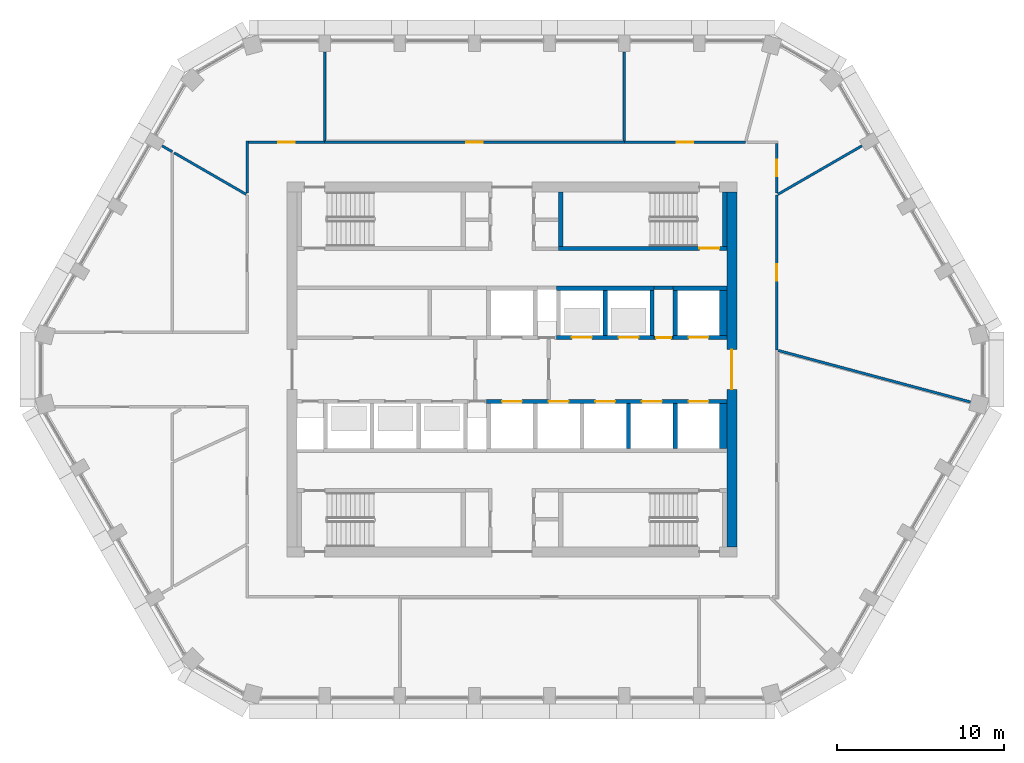
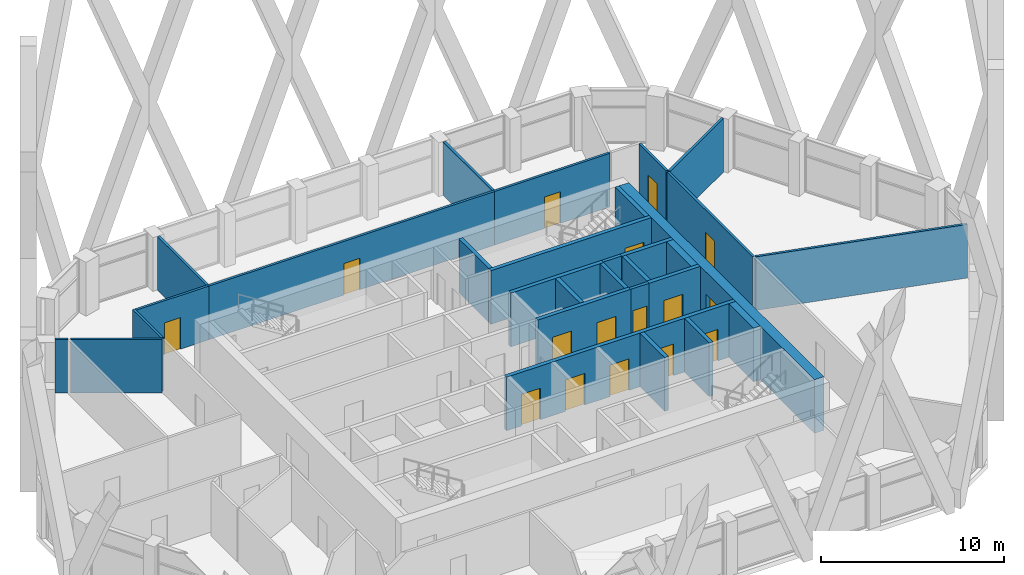
# One storey, part 11 of 20: 30 walls, 16 doors, 16 openings.
"""IFC4 building model written with IfcOpenShell, lengths in metres."""

from ifc_helpers import new_model, si_unit, direction, frame, frame_2d, origin, place, context, subcontext, project, spatial, polyline, rectangle, outline, extrude, material, layer, layer_set, type_object, element, fill, save


model = new_model("IFC4")

# Units and contexts
model_context = context("Model", 3, precision=1e-05, world=origin(), true_north=direction((0.0, 1.0)))
body_context = subcontext(model_context, "Body", "Model", "MODEL_VIEW")
ifc_project = project(units=[si_unit("LENGTHUNIT", "METRE"), si_unit("AREAUNIT", "SQUARE_METRE"), si_unit("VOLUMEUNIT", "CUBIC_METRE"), si_unit("PLANEANGLEUNIT", "RADIAN"), si_unit("MASSUNIT", "GRAM", prefix="KILO")], contexts=[model_context])

# Site, building, storey
site_placement = place(None, origin())
site = spatial("IfcSite", under=ifc_project, at=site_placement, CompositionType="ELEMENT")
building_placement = place(site_placement, origin())
building = spatial("IfcBuilding", under=site, at=building_placement, Name="Dhurran Vertical Campus", CompositionType="ELEMENT")
storey_placement = place(building_placement, frame((0.0, 0.0, 235.199951171875)))
storey = spatial("IfcBuildingStorey", under=building, at=storey_placement, Name="L58", CompositionType="ELEMENT", Elevation=235.199951171875)

# Wall, opening, door
ifc_material_1 = material(Name="Concrete C50/60", Category="concrete")
ifc_layer_1 = layer(ifc_material_1, 0.60009765625)
ifc_layer_set_1 = layer_set([ifc_layer_1], Name="Concrete C50/60")
wall_type_1 = type_object("IfcWallType", Name="co-CORE-WALL-C2-600", PredefinedType="SHEAR", material=ifc_layer_set_1)
wall_1_placement = place(storey_placement, frame((13.199951171875, -10.64990234375, 0.0), z_axis=(0.0, 0.0, 1.0), x_axis=(0.0, 1.0, 0.0)))
wall_1 = element("IfcWall", 1, at=wall_1_placement, inside=storey, type_object=wall_type_1, Name="Core wall E L58", PredefinedType="SHEAR", context=body_context, shape_type="SweptSolid", body=[
    extrude(rectangle(XDim=21.2998046875, YDim=0.60009765625, at=frame_2d((10.64990234375, 0.0))), origin(), (0.0, 0.0, 1.0), 3.574951171875),
])
opening_1_placement = place(wall_1_placement, frame((9.449951171875, 0.0, 0.0)))
opening_1 = element("IfcOpeningElement", 2, at=opening_1_placement, cuts=wall_1, Name="Opening CL2", PredefinedType="OPENING", context=body_context, shape_type="SweptSolid", body=[
    extrude(rectangle(XDim=2.39990234375, YDim=2.10009765625, at=frame_2d((1.199951171875, 1.050048828125))), frame((0.0, 0.31005859375, 0.0), z_axis=(0.0, -1.0, 0.0), x_axis=(1.0, 0.0, 0.0)), (0.0, 0.0, 1.0), 0.6201171875),
])
ifc_material_2 = material(Name="Fire-rated glazed door set")
door_type_1 = type_object("IfcDoorType", Name="co-D-LOBBY 2400x2100", OperationType="DOUBLE_DOOR_DOUBLE_SWING", PredefinedType="DOOR", material=ifc_material_2)
door_1_placement = place(opening_1_placement, origin())
door_1 = element("IfcDoor", 3, at=door_1_placement, inside=storey, type_object=door_type_1, Name="Lift lobby door E L58", OperationType="DOUBLE_DOOR_DOUBLE_SWING", OverallHeight=2.10009765625, OverallWidth=2.39990234375, PredefinedType="DOOR", context=body_context, shape_type="SweptSolid", body=[
    extrude(rectangle(XDim=2.39990234375, YDim=2.10009765625, at=frame_2d((1.199951171875, 1.050048828125))), frame((0.0, 0.02490234375, 0.0), z_axis=(0.0, -1.0, 0.0), x_axis=(1.0, 0.0, 0.0)), (0.0, 0.0, 1.0), 0.050048828125),
])
fill(opening_1, door_1)

ifc_material_3 = material(Name="Fire-rated masonry blockwork", Category="masonry")
ifc_layer_2 = layer(ifc_material_3, 0.199951171875)
ifc_layer_set_2 = layer_set([ifc_layer_2], Name="Fire-rated masonry blockwork")
wall_type_2 = type_object("IfcWallType", Name="co-FIRE-PARTITION-200", PredefinedType="PARTITIONING", material=ifc_layer_set_2)
wall_2_placement = place(storey_placement, frame((8.52490234375, 1.89990234375, 0.0), z_axis=(0.0, 0.0, 1.0), x_axis=(1.0, 0.0, 0.0)))
wall_2 = element("IfcWall", 4, at=wall_2_placement, inside=storey, type_object=wall_type_2, Name="Core partition fr-N2-f L58", PredefinedType="PARTITIONING", context=body_context, shape_type="SweptSolid", body=[
    extrude(rectangle(XDim=1.150146484375, YDim=0.199951171875, at=frame_2d((0.5751953125, 0.0))), origin(), (0.0, 0.0, 1.0), 3.574951171875),
])
opening_2_placement = place(wall_2_placement, frame((0.125, 0.0, 0.0)))
opening_2 = element("IfcOpeningElement", 5, at=opening_2_placement, cuts=wall_2, Name="Opening T17-C11", PredefinedType="OPENING", context=body_context, shape_type="SweptSolid", body=[
    extrude(rectangle(XDim=0.89990234375, YDim=2.10009765625, at=frame_2d((0.449951171875, 1.050048828125))), frame((0.0, 0.10986328125, 0.0), z_axis=(0.0, -1.0, 0.0), x_axis=(1.0, 0.0, 0.0)), (0.0, 0.0, 1.0), 0.219970703125),
])
ifc_material_4 = material(Name="Fire-rated timber door set", Category="wood")
door_type_2 = type_object("IfcDoorType", Name="co-D-ROOM 900x2100", OperationType="SINGLE_SWING_LEFT", PredefinedType="DOOR", material=ifc_material_4)
door_2_placement = place(opening_2_placement, origin())
door_2 = element("IfcDoor", 6, at=door_2_placement, inside=storey, type_object=door_type_2, Name="Water riser door L58", OperationType="SINGLE_SWING_LEFT", OverallHeight=2.10009765625, OverallWidth=0.89990234375, PredefinedType="DOOR", context=body_context, shape_type="SweptSolid", body=[
    extrude(rectangle(XDim=0.89990234375, YDim=2.10009765625, at=frame_2d((0.449951171875, 1.050048828125))), frame((0.0, 0.02490234375, 0.0), z_axis=(0.0, -1.0, 0.0), x_axis=(1.0, 0.0, 0.0)), (0.0, 0.0, 1.0), 0.050048828125),
])
fill(opening_2, door_2)

# Wall
wall_3_placement = place(storey_placement, frame((8.52490234375, 4.89990234375, 0.0), z_axis=(0.0, 0.0, 1.0), x_axis=(1.0, 0.0, 0.0)))
element("IfcWall", 7, at=wall_3_placement, inside=storey, type_object=wall_type_2, Name="Core partition fr-N2-b L58", PredefinedType="PARTITIONING", context=body_context, shape_type="SweptSolid", body=[
    extrude(rectangle(XDim=1.150146484375, YDim=0.199951171875, at=frame_2d((0.5751953125, 0.0))), origin(), (0.0, 0.0, 1.0), 3.574951171875),
])

# Wall, openings, doors
ifc_material_5 = material(Name="Concrete C50/60", Category="concrete")
ifc_layer_3 = layer(ifc_material_5, 0.25)
ifc_layer_set_3 = layer_set([ifc_layer_3], Name="Concrete C50/60")
wall_type_3 = type_object("IfcWallType", Name="co-SHAFT-FRONT-250", PredefinedType="SHEAR", material=ifc_layer_set_3)
wall_4_placement = place(storey_placement, frame((2.675048828125, 1.925048828125, 0.0), z_axis=(0.0, 0.0, 1.0), x_axis=(1.0, 0.0, 0.0)))
wall_4 = element("IfcWall", 8, at=wall_4_placement, inside=storey, type_object=wall_type_3, Name="Lift landing wall N L58", PredefinedType="SHEAR", context=body_context, shape_type="SweptSolid", body=[
    extrude(rectangle(XDim=5.849853515625, YDim=0.25, at=frame_2d((2.9248046875, 0.0))), origin(), (0.0, 0.0, 1.0), 3.574951171875),
])
opening_3_placement = place(wall_4_placement, frame((0.925048828125, 0.0, 0.0)))
opening_3 = element("IfcOpeningElement", 9, at=opening_3_placement, cuts=wall_4, Name="Opening LD", PredefinedType="OPENING", context=body_context, shape_type="SweptSolid", body=[
    extrude(rectangle(XDim=1.199951171875, YDim=2.10009765625, at=frame_2d((0.60009765625, 1.050048828125))), frame((0.0, 0.135009765625, 0.0), z_axis=(0.0, -1.0, 0.0), x_axis=(1.0, 0.0, 0.0)), (0.0, 0.0, 1.0), 0.27001953125),
])
opening_4_placement = place(wall_4_placement, frame((3.72509765625, 0.0, 0.0)))
opening_4 = element("IfcOpeningElement", 10, at=opening_4_placement, cuts=wall_4, Name="Opening LD", PredefinedType="OPENING", context=body_context, shape_type="SweptSolid", body=[
    extrude(rectangle(XDim=1.199951171875, YDim=2.10009765625, at=frame_2d((0.60009765625, 1.050048828125))), frame((0.0, 0.135009765625, 0.0), z_axis=(0.0, -1.0, 0.0), x_axis=(1.0, 0.0, 0.0)), (0.0, 0.0, 1.0), 0.27001953125),
])
ifc_material_6 = material(Name="Stainless steel landing door", Category="steel")
door_type_3 = type_object("IfcDoorType", Name="co-D-LANDING 1200x2100", OperationType="DOUBLE_DOOR_SLIDING", PredefinedType="DOOR", material=ifc_material_6)
door_3_placement = place(opening_3_placement, origin())
door_3 = element("IfcDoor", 11, at=door_3_placement, inside=storey, type_object=door_type_3, Name="Landing door HR1 L58", OperationType="DOUBLE_DOOR_SLIDING", OverallHeight=2.10009765625, OverallWidth=1.199951171875, PredefinedType="DOOR", context=body_context, shape_type="SweptSolid", body=[
    extrude(rectangle(XDim=1.199951171875, YDim=2.10009765625, at=frame_2d((0.60009765625, 1.050048828125))), frame((0.0, 0.02490234375, 0.0), z_axis=(0.0, -1.0, 0.0), x_axis=(1.0, 0.0, 0.0)), (0.0, 0.0, 1.0), 0.050048828125),
])
fill(opening_3, door_3)
door_4_placement = place(opening_4_placement, origin())
door_4 = element("IfcDoor", 12, at=door_4_placement, inside=storey, type_object=door_type_3, Name="Landing door HR2 L58", OperationType="DOUBLE_DOOR_SLIDING", OverallHeight=2.10009765625, OverallWidth=1.199951171875, PredefinedType="DOOR", context=body_context, shape_type="SweptSolid", body=[
    extrude(rectangle(XDim=1.199951171875, YDim=2.10009765625, at=frame_2d((0.60009765625, 1.050048828125))), frame((0.0, 0.02490234375, 0.0), z_axis=(0.0, -1.0, 0.0), x_axis=(1.0, 0.0, 0.0)), (0.0, 0.0, 1.0), 0.050048828125),
])
fill(opening_4, door_4)

# Wall, opening, door
wall_5_placement = place(storey_placement, frame((9.675048828125, 1.925048828125, 0.0), z_axis=(0.0, 0.0, 1.0), x_axis=(1.0, 0.0, 0.0)))
wall_5 = element("IfcWall", 13, at=wall_5_placement, inside=storey, type_object=wall_type_3, Name="Lift landing wall N L58", PredefinedType="SHEAR", context=body_context, shape_type="SweptSolid", body=[
    extrude(rectangle(XDim=3.224853515625, YDim=0.25, at=frame_2d((1.6123046875, 0.0))), origin(), (0.0, 0.0, 1.0), 3.574951171875),
])
opening_5_placement = place(wall_5_placement, frame((0.925048828125, 0.0, 0.0)))
opening_5 = element("IfcOpeningElement", 14, at=opening_5_placement, cuts=wall_5, Name="Opening LD", PredefinedType="OPENING", context=body_context, shape_type="SweptSolid", body=[
    extrude(rectangle(XDim=1.199951171875, YDim=2.10009765625, at=frame_2d((0.60009765625, 1.050048828125))), frame((0.0, 0.135009765625, 0.0), z_axis=(0.0, -1.0, 0.0), x_axis=(1.0, 0.0, 0.0)), (0.0, 0.0, 1.0), 0.27001953125),
])
door_5_placement = place(opening_5_placement, origin())
door_5 = element("IfcDoor", 15, at=door_5_placement, inside=storey, type_object=door_type_3, Name="Landing door SV2 L58", OperationType="DOUBLE_DOOR_SLIDING", OverallHeight=2.10009765625, OverallWidth=1.199951171875, PredefinedType="DOOR", context=body_context, shape_type="SweptSolid", body=[
    extrude(rectangle(XDim=1.199951171875, YDim=2.10009765625, at=frame_2d((0.60009765625, 1.050048828125))), frame((0.0, 0.02490234375, 0.0), z_axis=(0.0, -1.0, 0.0), x_axis=(1.0, 0.0, 0.0)), (0.0, 0.0, 1.0), 0.050048828125),
])
fill(opening_5, door_5)

# Wall, openings, doors
wall_6_placement = place(storey_placement, frame((-1.52490234375, -1.925048828125, 0.0), z_axis=(0.0, 0.0, 1.0), x_axis=(1.0, 0.0, 0.0)))
wall_6 = element("IfcWall", 16, at=wall_6_placement, inside=storey, type_object=wall_type_3, Name="Lift landing wall S L58", PredefinedType="SHEAR", context=body_context, shape_type="SweptSolid", body=[
    extrude(rectangle(XDim=14.4248046875, YDim=0.25, at=frame_2d((7.21240234375, 0.0))), origin(), (0.0, 0.0, 1.0), 3.574951171875),
])
opening_6_placement = place(wall_6_placement, frame((0.925048828125, 0.0, 0.0)))
opening_6 = element("IfcOpeningElement", 17, at=opening_6_placement, cuts=wall_6, Name="Opening LD", PredefinedType="OPENING", context=body_context, shape_type="SweptSolid", body=[
    extrude(rectangle(XDim=1.199951171875, YDim=2.10009765625, at=frame_2d((0.60009765625, 1.050048828125))), frame((0.0, 0.135009765625, 0.0), z_axis=(0.0, -1.0, 0.0), x_axis=(1.0, 0.0, 0.0)), (0.0, 0.0, 1.0), 0.27001953125),
])
opening_7_placement = place(wall_6_placement, frame((3.72509765625, 0.0, 0.0)))
opening_7 = element("IfcOpeningElement", 18, at=opening_7_placement, cuts=wall_6, Name="Opening LD", PredefinedType="OPENING", context=body_context, shape_type="SweptSolid", body=[
    extrude(rectangle(XDim=1.199951171875, YDim=2.10009765625, at=frame_2d((0.60009765625, 1.050048828125))), frame((0.0, 0.135009765625, 0.0), z_axis=(0.0, -1.0, 0.0), x_axis=(1.0, 0.0, 0.0)), (0.0, 0.0, 1.0), 0.27001953125),
])
opening_8_placement = place(wall_6_placement, frame((6.52490234375, 0.0, 0.0)))
opening_8 = element("IfcOpeningElement", 19, at=opening_8_placement, cuts=wall_6, Name="Opening LD", PredefinedType="OPENING", context=body_context, shape_type="SweptSolid", body=[
    extrude(rectangle(XDim=1.199951171875, YDim=2.10009765625, at=frame_2d((0.60009765625, 1.050048828125))), frame((0.0, 0.135009765625, 0.0), z_axis=(0.0, -1.0, 0.0), x_axis=(1.0, 0.0, 0.0)), (0.0, 0.0, 1.0), 0.27001953125),
])
opening_9_placement = place(wall_6_placement, frame((9.324951171875, 0.0, 0.0)))
opening_9 = element("IfcOpeningElement", 20, at=opening_9_placement, cuts=wall_6, Name="Opening LD", PredefinedType="OPENING", context=body_context, shape_type="SweptSolid", body=[
    extrude(rectangle(XDim=1.199951171875, YDim=2.10009765625, at=frame_2d((0.60009765625, 1.050048828125))), frame((0.0, 0.135009765625, 0.0), z_axis=(0.0, -1.0, 0.0), x_axis=(1.0, 0.0, 0.0)), (0.0, 0.0, 1.0), 0.27001953125),
])
opening_10_placement = place(wall_6_placement, frame((12.125, 0.0, 0.0)))
opening_10 = element("IfcOpeningElement", 21, at=opening_10_placement, cuts=wall_6, Name="Opening LD", PredefinedType="OPENING", context=body_context, shape_type="SweptSolid", body=[
    extrude(rectangle(XDim=1.199951171875, YDim=2.10009765625, at=frame_2d((0.60009765625, 1.050048828125))), frame((0.0, 0.135009765625, 0.0), z_axis=(0.0, -1.0, 0.0), x_axis=(1.0, 0.0, 0.0)), (0.0, 0.0, 1.0), 0.27001953125),
])
door_6_placement = place(opening_6_placement, origin())
door_6 = element("IfcDoor", 22, at=door_6_placement, inside=storey, type_object=door_type_3, Name="Landing door FF2 L58", OperationType="DOUBLE_DOOR_SLIDING", OverallHeight=2.10009765625, OverallWidth=1.199951171875, PredefinedType="DOOR", context=body_context, shape_type="SweptSolid", body=[
    extrude(rectangle(XDim=1.199951171875, YDim=2.10009765625, at=frame_2d((0.60009765625, 1.050048828125))), frame((0.0, 0.02490234375, 0.0), z_axis=(0.0, -1.0, 0.0), x_axis=(1.0, 0.0, 0.0)), (0.0, 0.0, 1.0), 0.050048828125),
])
fill(opening_6, door_6)
door_7_placement = place(opening_7_placement, origin())
door_7 = element("IfcDoor", 23, at=door_7_placement, inside=storey, type_object=door_type_3, Name="Landing door SV1 L58", OperationType="DOUBLE_DOOR_SLIDING", OverallHeight=2.10009765625, OverallWidth=1.199951171875, PredefinedType="DOOR", context=body_context, shape_type="SweptSolid", body=[
    extrude(rectangle(XDim=1.199951171875, YDim=2.10009765625, at=frame_2d((0.60009765625, 1.050048828125))), frame((0.0, 0.02490234375, 0.0), z_axis=(0.0, -1.0, 0.0), x_axis=(1.0, 0.0, 0.0)), (0.0, 0.0, 1.0), 0.050048828125),
])
fill(opening_7, door_7)
door_8_placement = place(opening_8_placement, origin())
door_8 = element("IfcDoor", 24, at=door_8_placement, inside=storey, type_object=door_type_3, Name="Landing door SB1 L58", OperationType="DOUBLE_DOOR_SLIDING", OverallHeight=2.10009765625, OverallWidth=1.199951171875, PredefinedType="DOOR", context=body_context, shape_type="SweptSolid", body=[
    extrude(rectangle(XDim=1.199951171875, YDim=2.10009765625, at=frame_2d((0.60009765625, 1.050048828125))), frame((0.0, 0.02490234375, 0.0), z_axis=(0.0, -1.0, 0.0), x_axis=(1.0, 0.0, 0.0)), (0.0, 0.0, 1.0), 0.050048828125),
])
fill(opening_8, door_8)
door_9_placement = place(opening_9_placement, origin())
door_9 = element("IfcDoor", 25, at=door_9_placement, inside=storey, type_object=door_type_3, Name="Landing door SB2 L58", OperationType="DOUBLE_DOOR_SLIDING", OverallHeight=2.10009765625, OverallWidth=1.199951171875, PredefinedType="DOOR", context=body_context, shape_type="SweptSolid", body=[
    extrude(rectangle(XDim=1.199951171875, YDim=2.10009765625, at=frame_2d((0.60009765625, 1.050048828125))), frame((0.0, 0.02490234375, 0.0), z_axis=(0.0, -1.0, 0.0), x_axis=(1.0, 0.0, 0.0)), (0.0, 0.0, 1.0), 0.050048828125),
])
fill(opening_9, door_9)
door_10_placement = place(opening_10_placement, origin())
door_10 = element("IfcDoor", 26, at=door_10_placement, inside=storey, type_object=door_type_3, Name="Landing door SB3 L58", OperationType="DOUBLE_DOOR_SLIDING", OverallHeight=2.10009765625, OverallWidth=1.199951171875, PredefinedType="DOOR", context=body_context, shape_type="SweptSolid", body=[
    extrude(rectangle(XDim=1.199951171875, YDim=2.10009765625, at=frame_2d((0.60009765625, 1.050048828125))), frame((0.0, 0.02490234375, 0.0), z_axis=(0.0, -1.0, 0.0), x_axis=(1.0, 0.0, 0.0)), (0.0, 0.0, 1.0), 0.050048828125),
])
fill(opening_10, door_10)

# Walls
ifc_material_7 = material(Name="Concrete C50/60", Category="concrete")
ifc_layer_4 = layer(ifc_material_7, 0.25)
ifc_layer_set_4 = layer_set([ifc_layer_4], Name="Concrete C50/60")
wall_type_4 = type_object("IfcWallType", Name="co-SHAFT-MASS-250", PredefinedType="SHEAR", material=ifc_layer_set_4)
wall_7_placement = place(storey_placement, origin())
element("IfcWall", 27, at=wall_7_placement, inside=storey, type_object=wall_type_4, Name="Lift shaft wall N L58 2", PredefinedType="SHEAR", context=body_context, shape_type="SweptSolid", body=[
    extrude(outline(polyline([(2.675048828125, 4.75), (8.52490234375, 4.75), (8.52490234375, 5.0), (2.675048828125, 5.0), (2.675048828125, 4.75)])), origin(), (0.0, 0.0, 1.0), 3.574951171875),
])
wall_8_placement = place(storey_placement, origin())
element("IfcWall", 28, at=wall_8_placement, inside=storey, type_object=wall_type_4, Name="Lift shaft wall N L58 3", PredefinedType="SHEAR", context=body_context, shape_type="SweptSolid", body=[
    extrude(outline(polyline([(9.675048828125, 4.75), (12.89990234375, 4.75), (12.89990234375, 5.0), (9.675048828125, 5.0), (9.675048828125, 4.75)])), origin(), (0.0, 0.0, 1.0), 3.574951171875),
])
wall_9_placement = place(storey_placement, origin())
element("IfcWall", 29, at=wall_9_placement, inside=storey, type_object=wall_type_4, Name="Lift shaft wall N L58 7", PredefinedType="SHEAR", context=body_context, shape_type="SweptSolid", body=[
    extrude(outline(polyline([(5.47509765625, 2.050048828125), (5.72509765625, 2.050048828125), (5.72509765625, 4.75), (5.47509765625, 4.75), (5.47509765625, 2.050048828125)])), origin(), (0.0, 0.0, 1.0), 3.574951171875),
])
wall_10_placement = place(storey_placement, origin())
element("IfcWall", 30, at=wall_10_placement, inside=storey, type_object=wall_type_4, Name="Lift shaft wall N L58 8", PredefinedType="SHEAR", context=body_context, shape_type="SweptSolid", body=[
    extrude(outline(polyline([(8.27490234375, 2.050048828125), (8.52490234375, 2.050048828125), (8.52490234375, 4.75), (8.27490234375, 4.75), (8.27490234375, 2.050048828125)])), origin(), (0.0, 0.0, 1.0), 3.574951171875),
])
wall_11_placement = place(storey_placement, origin())
element("IfcWall", 31, at=wall_11_placement, inside=storey, type_object=wall_type_4, Name="Lift shaft wall N L58 9", PredefinedType="SHEAR", context=body_context, shape_type="SweptSolid", body=[
    extrude(outline(polyline([(9.675048828125, 2.050048828125), (9.925048828125, 2.050048828125), (9.925048828125, 4.75), (9.675048828125, 4.75), (9.675048828125, 2.050048828125)])), origin(), (0.0, 0.0, 1.0), 3.574951171875),
])
wall_12_placement = place(storey_placement, origin())
element("IfcWall", 32, at=wall_12_placement, inside=storey, type_object=wall_type_4, Name="Lift shaft wall N L58 10", PredefinedType="SHEAR", context=body_context, shape_type="SweptSolid", body=[
    extrude(outline(polyline([(12.47509765625, 2.050048828125), (12.89990234375, 2.050048828125), (12.89990234375, 4.75), (12.47509765625, 4.75), (12.47509765625, 2.050048828125)])), origin(), (0.0, 0.0, 1.0), 3.574951171875),
])
wall_13_placement = place(storey_placement, origin())
element("IfcWall", 33, at=wall_13_placement, inside=storey, type_object=wall_type_4, Name="Lift shaft wall S L58 10", PredefinedType="SHEAR", context=body_context, shape_type="SweptSolid", body=[
    extrude(outline(polyline([(6.875, -4.75), (7.125, -4.75), (7.125, -2.050048828125), (6.875, -2.050048828125), (6.875, -4.75)])), origin(), (0.0, 0.0, 1.0), 3.574951171875),
])
wall_14_placement = place(storey_placement, origin())
element("IfcWall", 34, at=wall_14_placement, inside=storey, type_object=wall_type_4, Name="Lift shaft wall S L58 11", PredefinedType="SHEAR", context=body_context, shape_type="SweptSolid", body=[
    extrude(outline(polyline([(9.675048828125, -4.75), (9.925048828125, -4.75), (9.925048828125, -2.050048828125), (9.675048828125, -2.050048828125), (9.675048828125, -4.75)])), origin(), (0.0, 0.0, 1.0), 3.574951171875),
])
wall_15_placement = place(storey_placement, origin())
element("IfcWall", 35, at=wall_15_placement, inside=storey, type_object=wall_type_4, Name="Lift shaft wall S L58 12", PredefinedType="SHEAR", context=body_context, shape_type="SweptSolid", body=[
    extrude(outline(polyline([(12.47509765625, -4.75), (12.89990234375, -4.75), (12.89990234375, -2.050048828125), (12.47509765625, -2.050048828125), (12.47509765625, -4.75)])), origin(), (0.0, 0.0, 1.0), 3.574951171875),
])

# Wall, opening, door
ifc_material_8 = material(Name="Concrete C40/50", Category="concrete")
ifc_layer_5 = layer(ifc_material_8, 0.25)
ifc_layer_set_5 = layer_set([ifc_layer_5], Name="Concrete C40/50")
wall_type_5 = type_object("IfcWallType", Name="co-STAIR-WALL-250", PredefinedType="SHEAR", material=ifc_layer_set_5)
wall_16_placement = place(storey_placement, frame((2.800048828125, 7.27490234375, 0.0), z_axis=(0.0, 0.0, 1.0), x_axis=(1.0, 0.0, 0.0)))
wall_16 = element("IfcWall", 36, at=wall_16_placement, inside=storey, type_object=wall_type_5, Name="Stair ST2 enclosure wall L58", PredefinedType="SHEAR", context=body_context, shape_type="SweptSolid", body=[
    extrude(rectangle(XDim=10.099853515625, YDim=0.25, at=frame_2d((5.0498046875, 0.0))), origin(), (0.0, 0.0, 1.0), 3.574951171875),
])
opening_11_placement = place(wall_16_placement, frame((8.449951171875, 0.0, 0.0)))
opening_11 = element("IfcOpeningElement", 37, at=opening_11_placement, cuts=wall_16, Name="Opening SD2", PredefinedType="OPENING", context=body_context, shape_type="SweptSolid", body=[
    extrude(rectangle(XDim=1.199951171875, YDim=2.10009765625, at=frame_2d((0.60009765625, 1.050048828125))), frame((0.0, 0.135009765625, 0.0), z_axis=(0.0, -1.0, 0.0), x_axis=(1.0, 0.0, 0.0)), (0.0, 0.0, 1.0), 0.27001953125),
])
ifc_material_9 = material(Name="Fire-rated steel door set", Category="steel")
door_type_4 = type_object("IfcDoorType", Name="co-D-STAIR 1200x2100", OperationType="SINGLE_SWING_LEFT", PredefinedType="DOOR", material=ifc_material_9)
door_11_placement = place(opening_11_placement, origin())
door_11 = element("IfcDoor", 38, at=door_11_placement, inside=storey, type_object=door_type_4, Name="Stair ST2 door L58", OperationType="SINGLE_SWING_LEFT", OverallHeight=2.10009765625, OverallWidth=1.199951171875, PredefinedType="DOOR", context=body_context, shape_type="SweptSolid", body=[
    extrude(rectangle(XDim=1.199951171875, YDim=2.10009765625, at=frame_2d((0.60009765625, 1.050048828125))), frame((0.0, 0.02490234375, 0.0), z_axis=(0.0, -1.0, 0.0), x_axis=(1.0, 0.0, 0.0)), (0.0, 0.0, 1.0), 0.050048828125),
])
fill(opening_11, door_11)

# Walls
for number, where, z_axis, x_axis, name in (
    (39, (2.925048828125, 7.39990234375, 0.0), (0.0, 0.0, 1.0), (0.0, 1.0, 0.0), "Stair ST2 enclosure wall L58"),
    (40, (12.77490234375, 7.39990234375, 0.0), (0.0, 0.0, 1.0), (0.0, 1.0, 0.0), "Stair ST2 enclosure wall L58"),
):
    element("IfcWall", number, at=place(storey_placement, frame(where, z_axis=z_axis, x_axis=x_axis)), inside=storey, type_object=wall_type_5, Name=name, PredefinedType="SHEAR", context=body_context, shape_type="SweptSolid", body=[
        extrude(rectangle(XDim=3.25, YDim=0.25, at=frame_2d((1.625, 0.0))), origin(), (0.0, 0.0, 1.0), 3.574951171875),
    ])
ifc_material_10 = material(Name="Gypsum board corridor wall on steel studs", Category="steel")
ifc_layer_6 = layer(ifc_material_10, 0.14990234375)
ifc_layer_set_6 = layer_set([ifc_layer_6], Name="Gypsum board corridor wall on steel studs")
wall_type_6 = type_object("IfcWallType", Name="fl-CW-150 corridor wall", PredefinedType="PARTITIONING", material=ifc_layer_set_6)
wall_17_placement = place(storey_placement, frame((-15.89990234375, 13.72509765625, 0.0), z_axis=(0.0, 0.0, 1.0), x_axis=(0.0, -1.0, 0.0)))
element("IfcWall", 41, at=wall_17_placement, inside=storey, type_object=wall_type_6, Name="Partition 58-19", PredefinedType="PARTITIONING", context=body_context, shape_type="SweptSolid", body=[
    extrude(rectangle(XDim=3.1162109375, YDim=0.14990234375, at=frame_2d((1.55810546875, 0.0))), origin(), (0.0, 0.0, 1.0), 3.574951171875),
])

# Wall, opening, door
wall_18_placement = place(storey_placement, frame((-11.25, 13.64990234375, 0.0), z_axis=(0.0, 0.0, 1.0), x_axis=(-1.0, 0.0, 0.0)))
wall_18 = element("IfcWall", 42, at=wall_18_placement, inside=storey, type_object=wall_type_6, Name="Partition 58-20", PredefinedType="PARTITIONING", context=body_context, shape_type="SweptSolid", body=[
    extrude(rectangle(XDim=4.574951171875, YDim=0.14990234375, at=frame_2d((2.28759765625, 0.0))), origin(), (0.0, 0.0, 1.0), 3.574951171875),
])
opening_12_placement = place(wall_18_placement, frame((1.78759765625, 0.0, 0.0)))
opening_12 = element("IfcOpeningElement", 43, at=opening_12_placement, cuts=wall_18, Name="Opening T17.06", PredefinedType="OPENING", context=body_context, shape_type="SweptSolid", body=[
    extrude(rectangle(XDim=1.0, YDim=2.10009765625, at=frame_2d((0.5, 1.050048828125))), frame((0.0, 0.0849609375, 0.0), z_axis=(0.0, -1.0, 0.0), x_axis=(1.0, 0.0, 0.0)), (0.0, 0.0, 1.0), 0.169921875),
])
ifc_material_11 = material(Name="Solid-core timber door set, fire-rated", Category="wood")
door_type_5 = type_object("IfcDoorType", Name="fl-D-1000x2100", OperationType="SINGLE_SWING_LEFT", PredefinedType="DOOR", material=ifc_material_11)
door_12_placement = place(opening_12_placement, origin())
door_12 = element("IfcDoor", 44, at=door_12_placement, inside=storey, type_object=door_type_5, Name="Door 58.06", OperationType="SINGLE_SWING_LEFT", OverallHeight=2.10009765625, OverallWidth=1.0, PredefinedType="DOOR", context=body_context, shape_type="SweptSolid", body=[
    extrude(rectangle(XDim=1.0, YDim=2.10009765625, at=frame_2d((0.5, 1.050048828125))), frame((0.0, 0.02490234375, 0.0), z_axis=(0.0, -1.0, 0.0), x_axis=(1.0, 0.0, 0.0)), (0.0, 0.0, 1.0), 0.050048828125),
])
fill(opening_12, door_12)

wall_19_placement = place(storey_placement, frame((6.75, 13.64990234375, 0.0), z_axis=(0.0, 0.0, 1.0), x_axis=(-1.0, 0.0, 0.0)))
wall_19 = element("IfcWall", 45, at=wall_19_placement, inside=storey, type_object=wall_type_6, Name="Partition 58-22", PredefinedType="PARTITIONING", context=body_context, shape_type="SweptSolid", body=[
    extrude(rectangle(XDim=18.0, YDim=0.14990234375, at=frame_2d((9.0, 0.0))), origin(), (0.0, 0.0, 1.0), 3.574951171875),
])
opening_13_placement = place(wall_19_placement, frame((8.5, 0.0, 0.0)))
opening_13 = element("IfcOpeningElement", 46, at=opening_13_placement, cuts=wall_19, Name="Opening T17.08", PredefinedType="OPENING", context=body_context, shape_type="SweptSolid", body=[
    extrude(rectangle(XDim=1.0, YDim=2.10009765625, at=frame_2d((0.5, 1.050048828125))), frame((0.0, 0.0849609375, 0.0), z_axis=(0.0, -1.0, 0.0), x_axis=(1.0, 0.0, 0.0)), (0.0, 0.0, 1.0), 0.169921875),
])
door_13_placement = place(opening_13_placement, origin())
door_13 = element("IfcDoor", 47, at=door_13_placement, inside=storey, type_object=door_type_5, Name="Door 58.08", OperationType="SINGLE_SWING_RIGHT", OverallHeight=2.10009765625, OverallWidth=1.0, PredefinedType="DOOR", context=body_context, shape_type="SweptSolid", body=[
    extrude(rectangle(XDim=1.0, YDim=2.10009765625, at=frame_2d((0.5, 1.050048828125))), frame((0.0, 0.02490234375, 0.0), z_axis=(0.0, -1.0, 0.0), x_axis=(1.0, 0.0, 0.0)), (0.0, 0.0, 1.0), 0.050048828125),
])
fill(opening_13, door_13)

wall_20_placement = place(storey_placement, frame((14.02490234375, 13.64990234375, 0.0), z_axis=(0.0, 0.0, 1.0), x_axis=(-1.0, 0.0, 0.0)))
wall_20 = element("IfcWall", 48, at=wall_20_placement, inside=storey, type_object=wall_type_6, Name="Partition 58-26", PredefinedType="PARTITIONING", context=body_context, shape_type="SweptSolid", body=[
    extrude(rectangle(XDim=7.27490234375, YDim=0.14990234375, at=frame_2d((3.637451171875, 0.0))), origin(), (0.0, 0.0, 1.0), 3.574951171875),
])
opening_14_placement = place(wall_20_placement, frame((3.137451171875, 0.0, 0.0)))
opening_14 = element("IfcOpeningElement", 49, at=opening_14_placement, cuts=wall_20, Name="Opening T17.10", PredefinedType="OPENING", context=body_context, shape_type="SweptSolid", body=[
    extrude(rectangle(XDim=1.0, YDim=2.10009765625, at=frame_2d((0.5, 1.050048828125))), frame((0.0, 0.0849609375, 0.0), z_axis=(0.0, -1.0, 0.0), x_axis=(1.0, 0.0, 0.0)), (0.0, 0.0, 1.0), 0.169921875),
])
door_14_placement = place(opening_14_placement, origin())
door_14 = element("IfcDoor", 50, at=door_14_placement, inside=storey, type_object=door_type_5, Name="Door 58.10", OperationType="SINGLE_SWING_RIGHT", OverallHeight=2.10009765625, OverallWidth=1.0, PredefinedType="DOOR", context=body_context, shape_type="SweptSolid", body=[
    extrude(rectangle(XDim=1.0, YDim=2.10009765625, at=frame_2d((0.5, 1.050048828125))), frame((0.0, 0.02490234375, 0.0), z_axis=(0.0, -1.0, 0.0), x_axis=(1.0, 0.0, 0.0)), (0.0, 0.0, 1.0), 0.050048828125),
])
fill(opening_14, door_14)

wall_21_placement = place(storey_placement, frame((15.89990234375, 1.166015625, 0.0), z_axis=(0.0, 0.0, 1.0), x_axis=(0.0, 1.0, 0.0)))
wall_21 = element("IfcWall", 51, at=wall_21_placement, inside=storey, type_object=wall_type_6, Name="Partition 58-34", PredefinedType="PARTITIONING", context=body_context, shape_type="SweptSolid", body=[
    extrude(rectangle(XDim=9.31298828125, YDim=0.14990234375, at=frame_2d((4.656494140625, 0.0))), origin(), (0.0, 0.0, 1.0), 3.574951171875),
])
opening_15_placement = place(wall_21_placement, frame((4.156494140625, 0.0, 0.0)))
opening_15 = element("IfcOpeningElement", 52, at=opening_15_placement, cuts=wall_21, Name="Opening T17.14", PredefinedType="OPENING", context=body_context, shape_type="SweptSolid", body=[
    extrude(rectangle(XDim=1.0, YDim=2.10009765625, at=frame_2d((0.5, 1.050048828125))), frame((0.0, 0.0849609375, 0.0), z_axis=(0.0, -1.0, 0.0), x_axis=(1.0, 0.0, 0.0)), (0.0, 0.0, 1.0), 0.169921875),
])
door_15_placement = place(opening_15_placement, origin())
door_15 = element("IfcDoor", 53, at=door_15_placement, inside=storey, type_object=door_type_5, Name="Door 58.14", OperationType="SINGLE_SWING_LEFT", OverallHeight=2.10009765625, OverallWidth=1.0, PredefinedType="DOOR", context=body_context, shape_type="SweptSolid", body=[
    extrude(rectangle(XDim=1.0, YDim=2.10009765625, at=frame_2d((0.5, 1.050048828125))), frame((0.0, 0.02490234375, 0.0), z_axis=(0.0, -1.0, 0.0), x_axis=(1.0, 0.0, 0.0)), (0.0, 0.0, 1.0), 0.050048828125),
])
fill(opening_15, door_15)

wall_22_placement = place(storey_placement, frame((15.89990234375, 10.60888671875, 0.0), z_axis=(0.0, 0.0, 1.0), x_axis=(0.0, 1.0, 0.0)))
wall_22 = element("IfcWall", 54, at=wall_22_placement, inside=storey, type_object=wall_type_6, Name="Partition 58-36", PredefinedType="PARTITIONING", context=body_context, shape_type="SweptSolid", body=[
    extrude(rectangle(XDim=2.966064453125, YDim=0.14990234375, at=frame_2d((1.48291015625, 0.0))), origin(), (0.0, 0.0, 1.0), 3.574951171875),
])
opening_16_placement = place(wall_22_placement, frame((0.98291015625, 0.0, 0.0)))
opening_16 = element("IfcOpeningElement", 55, at=opening_16_placement, cuts=wall_22, Name="Opening T17.12", PredefinedType="OPENING", context=body_context, shape_type="SweptSolid", body=[
    extrude(rectangle(XDim=1.0, YDim=2.10009765625, at=frame_2d((0.5, 1.050048828125))), frame((0.0, 0.0849609375, 0.0), z_axis=(0.0, -1.0, 0.0), x_axis=(1.0, 0.0, 0.0)), (0.0, 0.0, 1.0), 0.169921875),
])
door_16_placement = place(opening_16_placement, origin())
door_16 = element("IfcDoor", 56, at=door_16_placement, inside=storey, type_object=door_type_5, Name="Door 58.12", OperationType="SINGLE_SWING_RIGHT", OverallHeight=2.10009765625, OverallWidth=1.0, PredefinedType="DOOR", context=body_context, shape_type="SweptSolid", body=[
    extrude(rectangle(XDim=1.0, YDim=2.10009765625, at=frame_2d((0.5, 1.050048828125))), frame((0.0, 0.02490234375, 0.0), z_axis=(0.0, -1.0, 0.0), x_axis=(1.0, 0.0, 0.0)), (0.0, 0.0, 1.0), 0.050048828125),
])
fill(opening_16, door_16)

# Walls
ifc_material_12 = material(Name="Gypsum board partition on steel studs", Category="steel")
ifc_layer_7 = layer(ifc_material_12, 0.14990234375)
ifc_layer_set_7 = layer_set([ifc_layer_7], Name="Gypsum board partition on steel studs")
wall_type_7 = type_object("IfcWallType", Name="fl-PW-150 fixed partition", PredefinedType="PARTITIONING", material=ifc_layer_set_7)
wall_23_placement = place(storey_placement, frame((-21.013916015625, 13.431396484375, 0.0), z_axis=(0.0, 0.0, 1.0), x_axis=(0.866030760678, -0.499990721473, 0.0)))
element("IfcWall", 57, at=wall_23_placement, inside=storey, type_object=wall_type_7, Name="Partition 58-04", PredefinedType="PARTITIONING", context=body_context, shape_type="SweptSolid", body=[
    extrude(rectangle(XDim=0.708984375, YDim=0.14990234375, at=frame_2d((0.3544921875, 0.0))), origin(), (0.0, 0.0, 1.0), 3.574951171875),
])
wall_24_placement = place(storey_placement, frame((-20.287353515625, 13.011962890625, 0.0), z_axis=(0.0, 0.0, 1.0), x_axis=(0.866034070548, -0.499984988425, 0.0)))
element("IfcWall", 58, at=wall_24_placement, inside=storey, type_object=wall_type_7, Name="Partition 58-12", PredefinedType="PARTITIONING", context=body_context, shape_type="SweptSolid", body=[
    extrude(rectangle(XDim=4.990966796875, YDim=0.14990234375, at=frame_2d((2.49560546875, 0.0))), origin(), (0.0, 0.0, 1.0), 3.574951171875),
])
for number, where, z_axis, x_axis, name in (
    (59, (-11.25, 19.068603515625, 0.0), (0.0, 0.0, 1.0), (0.0, -1.0, 0.0), "Partition 58-21"),
    (60, (6.75, 19.068603515625, 0.0), (0.0, 0.0, 1.0), (0.0, -1.0, 0.0), "Partition 58-25"),
):
    element("IfcWall", number, at=place(storey_placement, frame(where, z_axis=z_axis, x_axis=x_axis)), inside=storey, type_object=wall_type_7, Name=name, PredefinedType="PARTITIONING", context=body_context, shape_type="SweptSolid", body=[
        extrude(rectangle(XDim=5.343505859375, YDim=0.14990234375, at=frame_2d((2.671875, 0.0))), origin(), (0.0, 0.0, 1.0), 3.574951171875),
    ])
wall_25_placement = place(storey_placement, frame((15.99169921875, 1.141357421875, 0.0), z_axis=(0.0, 0.0, 1.0), x_axis=(0.965910286237, -0.258877034405, 0.0)))
element("IfcWall", 61, at=wall_25_placement, inside=storey, type_object=wall_type_7, Name="Partition 58-35", PredefinedType="PARTITIONING", context=body_context, shape_type="SweptSolid", body=[
    extrude(rectangle(XDim=11.94775390625, YDim=0.14990234375, at=frame_2d((5.973876953125, 0.0))), origin(), (0.0, 0.0, 1.0), 3.574951171875),
])
wall_26_placement = place(storey_placement, frame((21.013916015625, 13.43115234375, 0.0), z_axis=(0.0, 0.0, 1.0), x_axis=(-0.866054481515, -0.499949632511, 0.0)))
element("IfcWall", 62, at=wall_26_placement, inside=storey, type_object=wall_type_7, Name="Partition 58-37", PredefinedType="PARTITIONING", context=body_context, shape_type="SweptSolid", body=[
    extrude(rectangle(XDim=5.82958984375, YDim=0.14990234375, at=frame_2d((2.914794921875, 0.0))), origin(), (0.0, 0.0, 1.0), 3.574951171875),
])

save(model, "model.ifc")
